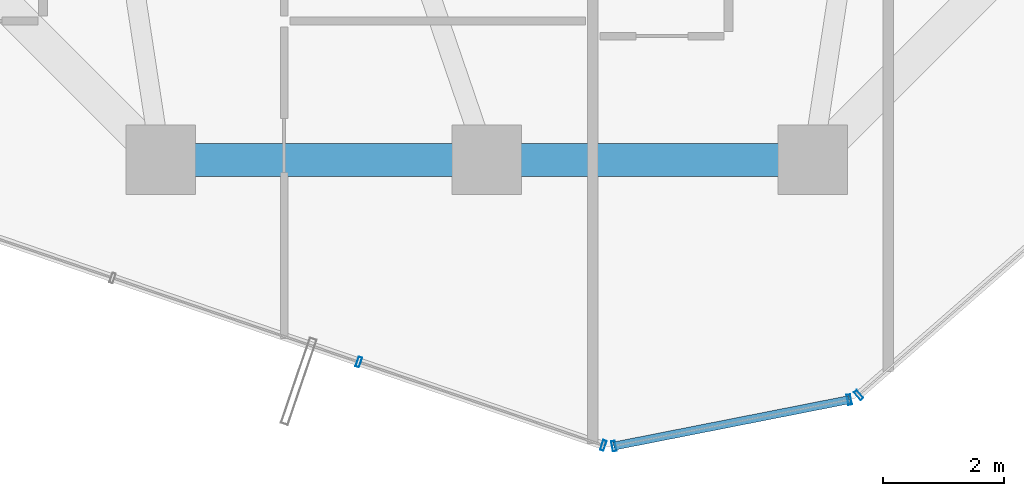
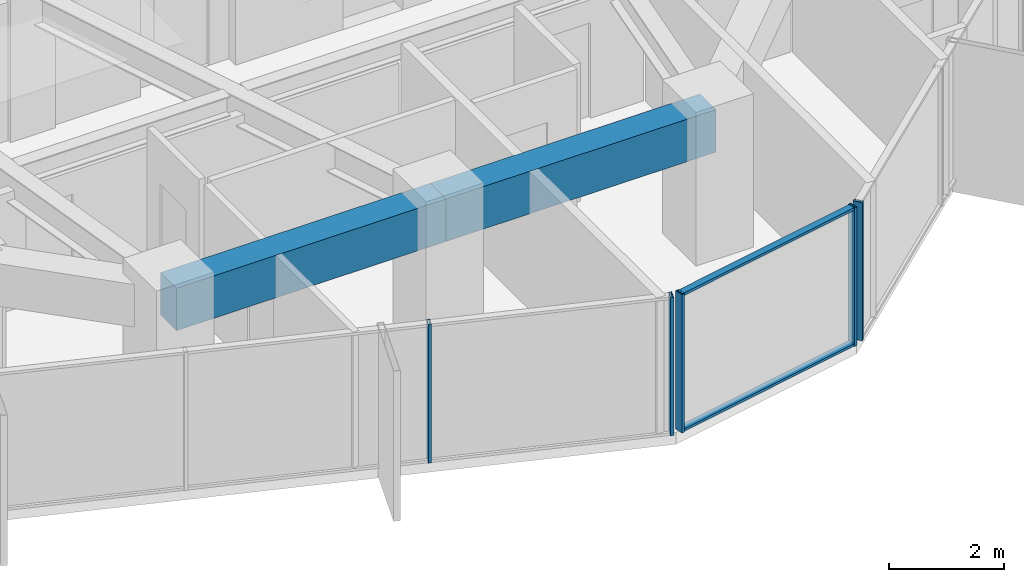
# One storey, part 6 of 36: 7 members, 2 beams, 3 elements without a shape of their own.
"""IFC4 building model written with IfcOpenShell, lengths in metres."""

from ifc_helpers import new_model, si_unit, direction, frame, origin, origin_2d, place, context, subcontext, project, spatial, rectangle, hollow_rectangle, extrude, source, transform, mapped, material, layer, layer_set, material_profile, profile_set, type_object, element, aggregate, save


model = new_model("IFC4")

# Units and contexts
model_context = context("Model", 3, precision=1e-05, world=origin(), true_north=direction((0.0, 1.0)))
body_context = subcontext(model_context, "Body", "Model", "MODEL_VIEW")
ifc_project = project(units=[si_unit("LENGTHUNIT", "METRE"), si_unit("AREAUNIT", "SQUARE_METRE"), si_unit("VOLUMEUNIT", "CUBIC_METRE"), si_unit("PLANEANGLEUNIT", "RADIAN"), si_unit("MASSUNIT", "GRAM", prefix="KILO")], contexts=[model_context])

# Site, building, storey
site_placement = place(None, origin())
site = spatial("IfcSite", under=ifc_project, at=site_placement, CompositionType="ELEMENT")
building_placement = place(site_placement, origin())
building = spatial("IfcBuilding", under=site, at=building_placement, Name="Veraguas Prism Commons", CompositionType="ELEMENT")
storey_placement = place(building_placement, frame((0.0, 0.0, 166.300048828125)))
storey = spatial("IfcBuildingStorey", under=building, at=storey_placement, Name="L47", CompositionType="ELEMENT", Elevation=166.300048828125)

# Beams
ifc_material_1 = material(Name="Concrete C50/60", Category="concrete")
ifc_material_profile_1 = material_profile(ifc_material_1, rectangle(XDim=0.550048828125, YDim=0.89990234375, at=origin_2d()), Name="RC550X900")
ifc_profile_set_1 = profile_set([ifc_material_profile_1], Name="Concrete C50/60")
beam_type = type_object("IfcBeamType", Name="Perimeter Spandrel Lower RC 550x900", PredefinedType="SPANDREL", material=ifc_profile_set_1)
for number, where, z_axis, x_axis, name in (
    (1, (18.60009765625, 7.800048828125, 2.47998046875), (1.0, 0.0, 0.0), (0.0, 1.0, 0.0), "Perimeter Spandrel Beam L47-SP10"),
    (2, (24.0, 7.800048828125, 2.47998046875), (1.0, 0.0, 0.0), (0.0, 1.0, 0.0), "Perimeter Spandrel Beam L47-SP11"),
):
    element("IfcBeam", number, at=place(storey_placement, frame(where, z_axis=z_axis, x_axis=x_axis)), inside=storey, type_object=beam_type, Name=name, PredefinedType="SPANDREL", context=body_context, shape_type="SweptSolid", body=[
        extrude(rectangle(XDim=0.550048828125, YDim=0.89990234375, at=origin_2d()), origin(), (0.0, 0.0, 1.0), 5.39990234375),
    ])

# Curtain wall, members
ifc_material_2 = material(Name="Anodised aluminium EN AW-6063 T6", Category="aluminium")
ifc_layer = layer(ifc_material_2, 0.169921875, Name="Unitised Flush Curtain Wall Zone 2", Category="aluminium")
ifc_layer_set = layer_set([ifc_layer], Name="Anodised aluminium EN AW-6063 T6")
curtain_wall_type = type_object("IfcCurtainWallType", Name="Unitised Flush Curtain Wall Zone 2", PredefinedType="NOTDEFINED", material=ifc_layer_set)
curtain_wall_1_placement = place(storey_placement, origin())
curtain_wall_1 = element("IfcCurtainWall", 3, at=curtain_wall_1_placement, inside=storey, type_object=curtain_wall_type, Name="Tower Facade Curtain Wall L47-F4", PredefinedType="NOTDEFINED")
ifc_material_profile_2 = material_profile(ifc_material_2, hollow_rectangle(XDim=0.06005859375, YDim=0.169921875, WallThickness=0.00390625, at=origin_2d()), Name="AL60X170X4")
ifc_profile_set_2 = profile_set([ifc_material_profile_2], Name="Anodised aluminium EN AW-6063 T6")
member_type_1 = type_object("IfcMemberType", Name="Curtain Wall Mullion Lower AL 60x170x4", PredefinedType="MULLION", material=ifc_profile_set_2)
shared_shape_1 = source(origin(), body_context, "Body", "SweptSolid", [
    extrude(hollow_rectangle(XDim=0.06005859375, YDim=0.169921875, WallThickness=0.00390625, at=origin_2d()), origin(), (0.0, 0.0, 1.0), 2.929931640625),
])
member_1_placement = place(storey_placement, frame((21.88330078125, 4.453857421875, 0.0), z_axis=(0.0, 0.0, 1.0), x_axis=(0.946424609155, -0.322924850679, 0.0)))
member_1 = element("IfcMember", 4, at=member_1_placement, type_object=member_type_1, Name="CW-Z2 Mullion 4", PredefinedType="MULLION", context=body_context, shape_type="MappedRepresentation", body=[
    mapped(shared_shape_1, transform((0.0, 0.0, 0.0), scale=1.0)),
])
member_2_placement = place(storey_placement, frame((25.9326171875, 3.072265625, 0.0), z_axis=(0.0, 0.0, 1.0), x_axis=(0.946424609155, -0.322924850679, 0.0)))
member_2 = element("IfcMember", 5, at=member_2_placement, type_object=member_type_1, Name="CW-Z2 Mullion 5", PredefinedType="MULLION", context=body_context, shape_type="MappedRepresentation", body=[
    mapped(shared_shape_1, transform((0.0, 0.0, 0.0), scale=1.0)),
])
aggregate(curtain_wall_1, [member_1, member_2])

# Curtain wall, member
curtain_wall_2_placement = place(storey_placement, origin())
curtain_wall_2 = element("IfcCurtainWall", 6, at=curtain_wall_2_placement, inside=storey, type_object=curtain_wall_type, Name="Tower Facade Curtain Wall L47-F5", PredefinedType="NOTDEFINED")
member_3_placement = place(storey_placement, frame((30.16015625, 3.90625, 0.0), z_axis=(0.0, 0.0, 1.0), x_axis=(0.752872280062, 0.658166642967, 0.0)))
member_3 = element("IfcMember", 7, at=member_3_placement, type_object=member_type_1, Name="CW-Z2 Mullion 1", PredefinedType="MULLION", context=body_context, shape_type="MappedRepresentation", body=[
    mapped(shared_shape_1, transform((0.0, 0.0, 0.0), scale=1.0)),
])
aggregate(curtain_wall_2, [member_3])

# Curtain wall, members
curtain_wall_3_placement = place(storey_placement, origin())
curtain_wall_3 = element("IfcCurtainWall", 8, at=curtain_wall_3_placement, inside=storey, type_object=curtain_wall_type, Name="Chamfer Curtain Wall L47-C5", PredefinedType="NOTDEFINED")
member_4_placement = place(storey_placement, frame((26.106201171875, 3.060546875, 0.0), z_axis=(0.0, 0.0, 1.0), x_axis=(0.981090517443, 0.193549468051, 0.0)))
member_4 = element("IfcMember", 9, at=member_4_placement, type_object=member_type_1, Name="CW-Z2 Mullion 1", PredefinedType="MULLION", context=body_context, shape_type="MappedRepresentation", body=[
    mapped(shared_shape_1, transform((0.0, 0.0, 0.0), scale=1.0)),
])
member_5_placement = place(storey_placement, frame((30.004150390625, 3.82958984375, 0.0), z_axis=(0.0, 0.0, 1.0), x_axis=(0.981090517443, 0.193549468051, 0.0)))
member_5 = element("IfcMember", 10, at=member_5_placement, type_object=member_type_1, Name="CW-Z2 Mullion 2", PredefinedType="MULLION", context=body_context, shape_type="MappedRepresentation", body=[
    mapped(shared_shape_1, transform((0.0, 0.0, 0.0), scale=1.0)),
])
ifc_material_profile_3 = material_profile(ifc_material_2, hollow_rectangle(XDim=0.054931640625, YDim=0.135009765625, WallThickness=0.0029296875, at=origin_2d()), Name="AL55X135X3")
ifc_profile_set_3 = profile_set([ifc_material_profile_3], Name="Anodised aluminium EN AW-6063 T6")
member_type_2 = type_object("IfcMemberType", Name="Curtain Wall Transom Standard AL 55x135x3", PredefinedType="USERDEFINED", material=ifc_profile_set_3)
shared_shape_2 = source(origin(), body_context, "Body", "SweptSolid", [
    extrude(hollow_rectangle(XDim=0.054931640625, YDim=0.135009765625, WallThickness=0.0029296875, at=origin_2d()), origin(), (0.0, 0.0, 1.0), 3.97314453125),
])
member_6_placement = place(storey_placement, frame((26.106201171875, 3.060546875, 0.02734375), z_axis=(0.9810878494, 0.193562991708, 0.0), x_axis=(0.0, 0.0, 1.0)))
member_6 = element("IfcMember", 11, at=member_6_placement, type_object=member_type_2, Name="CW-Z2 Transom 1", ObjectType="TRANSOM", PredefinedType="USERDEFINED", context=body_context, shape_type="MappedRepresentation", body=[
    mapped(shared_shape_2, transform((0.0, 0.0, 0.0), scale=1.0)),
])
member_7_placement = place(storey_placement, frame((26.106201171875, 3.060546875, 2.90234375), z_axis=(0.9810878494, 0.193562991708, 0.0), x_axis=(0.0, 0.0, 1.0)))
member_7 = element("IfcMember", 12, at=member_7_placement, type_object=member_type_2, Name="CW-Z2 Transom 2", ObjectType="TRANSOM", PredefinedType="USERDEFINED", context=body_context, shape_type="MappedRepresentation", body=[
    mapped(shared_shape_2, transform((0.0, 0.0, 0.0), scale=1.0)),
])
aggregate(curtain_wall_3, [member_4, member_5, member_6, member_7])

save(model, "model.ifc")
